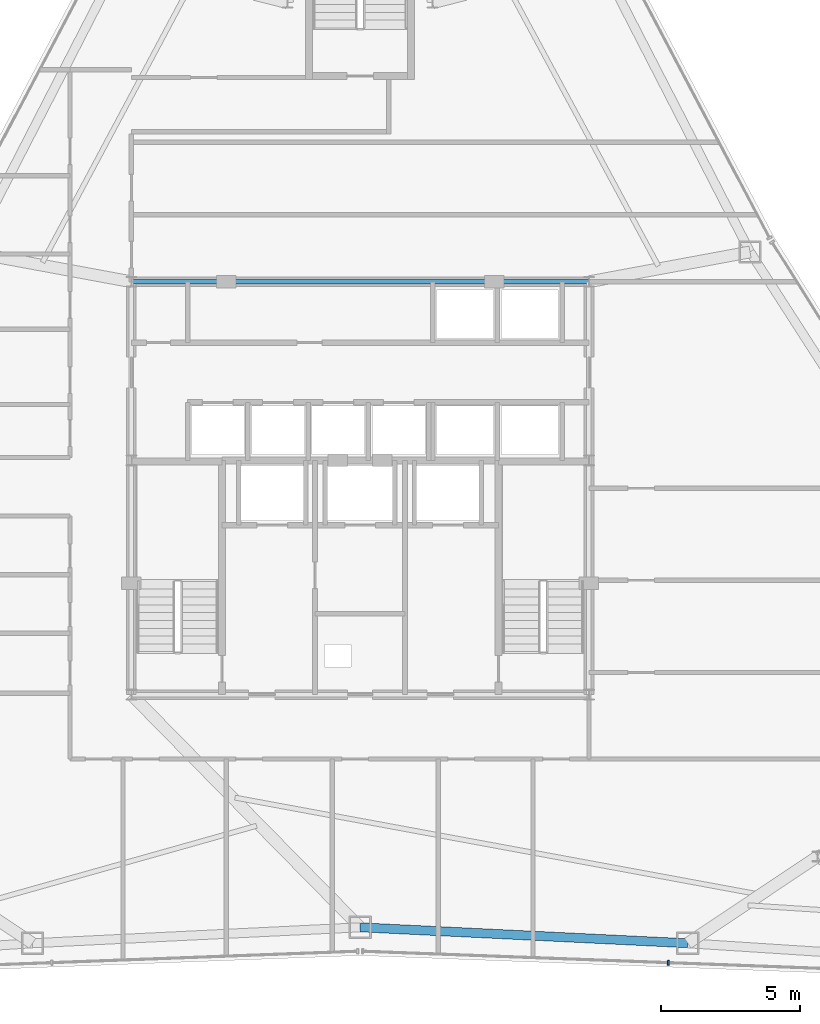
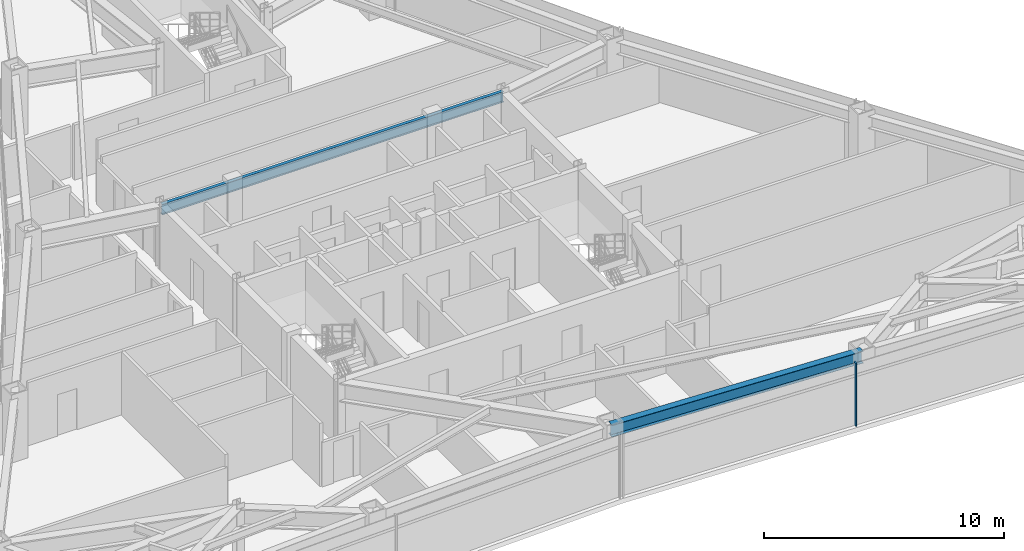
# One storey, part 6 of 13: 2 beams, 1 member, 1 element without a shape of its own.
"""IFC4 building model written with IfcOpenShell, lengths in metres."""

from ifc_helpers import new_model, si_unit, direction, frame, origin, origin_2d, place, context, subcontext, project, spatial, rectangle, i_section, extrude, source, transform, mapped, material, layer, layer_set, material_profile, profile_set, type_object, type_shapes, element, aggregate, save


model = new_model("IFC4")

# Units and contexts
model_context = context("Model", 3, precision=1e-05, world=origin(), true_north=direction((0.0, 1.0)))
body_context = subcontext(model_context, "Body", "Model", "MODEL_VIEW")
ifc_project = project(units=[si_unit("LENGTHUNIT", "METRE"), si_unit("AREAUNIT", "SQUARE_METRE"), si_unit("VOLUMEUNIT", "CUBIC_METRE"), si_unit("PLANEANGLEUNIT", "RADIAN"), si_unit("MASSUNIT", "GRAM", prefix="KILO")], contexts=[model_context])

# Site, building, storey
site_placement = place(None, origin())
site = spatial("IfcSite", under=ifc_project, at=site_placement, CompositionType="ELEMENT")
building_placement = place(site_placement, origin())
building = spatial("IfcBuilding", under=site, at=building_placement, Name="Varakhsha Concourse Tower", CompositionType="ELEMENT")
storey_placement = place(building_placement, frame((0.0, 0.0, 172.35009765625)))
storey = spatial("IfcBuildingStorey", under=building, at=storey_placement, Name="L49", CompositionType="ELEMENT", Elevation=172.35009765625)

# Beams
ifc_material_1 = material(Name="Structural Steel ASTM A992 Grade 50", Category="steel")
ifc_material_profile_1 = material_profile(ifc_material_1, i_section(OverallWidth=0.1669921875, OverallDepth=0.534912109375, WebThickness=0.010009765625, FlangeThickness=0.01708984375, at=origin_2d()), Name="W21X57")
ifc_profile_set_1 = profile_set([ifc_material_profile_1], Name="Structural Steel ASTM A992 Grade 50")
beam_type_1 = type_object("IfcBeamType", Name="BM-RAD-W21X57", PredefinedType="BEAM", material=ifc_profile_set_1)
beam_1_placement = place(storey_placement, frame((31.800048828125, 31.199951171875, 2.9423828125), z_axis=(1.0, 0.0, 0.0), x_axis=(0.0, 1.0, 0.0)))
element("IfcBeam", 1, at=beam_1_placement, inside=storey, type_object=beam_type_1, Name="BM-TCORE-L49-CN", PredefinedType="BEAM", context=body_context, shape_type="SweptSolid", body=[
    extrude(i_section(OverallWidth=0.1669921875, OverallDepth=0.534912109375, WebThickness=0.010009765625, FlangeThickness=0.01708984375, at=origin_2d()), origin(), (0.0, 0.0, 1.0), 16.39990234375),
])
ifc_material_profile_2 = material_profile(ifc_material_1, i_section(OverallWidth=0.323974609375, OverallDepth=0.611083984375, WebThickness=0.012939453125, FlangeThickness=0.01904296875, at=origin_2d()), Name="W24X104")
ifc_profile_set_2 = profile_set([ifc_material_profile_2], Name="Structural Steel ASTM A992 Grade 50")
beam_type_2 = type_object("IfcBeamType", Name="BM-SPAN-W24X104", PredefinedType="SPANDREL", material=ifc_profile_set_2)
beam_2_placement = place(storey_placement, frame((40.0, 8.061279296875, 2.904296875), z_axis=(0.998822016856, -0.048524000694, 0.0), x_axis=(0.048524000694, 0.998822016856, 0.0)))
element("IfcBeam", 2, at=beam_2_placement, inside=storey, type_object=beam_type_2, Name="BM-SPAN-L49-11", PredefinedType="SPANDREL", context=body_context, shape_type="SweptSolid", body=[
    extrude(i_section(OverallWidth=0.323974609375, OverallDepth=0.611083984375, WebThickness=0.012939453125, FlangeThickness=0.01904296875, at=origin_2d()), origin(), (0.0, 0.0, 1.0), 11.75830078125),
])

# Curtain wall, member
ifc_material_2 = material(Name="Anodised Bronze Architectural Aluminium AA 6063-T6", Category="aluminium")
ifc_layer = layer(ifc_material_2, 0.2099609375, Name="CW-SYS-04")
ifc_layer_set = layer_set([ifc_layer], Name="Anodised Bronze Architectural Aluminium AA 6063-T6")
curtain_wall_type = type_object("IfcCurtainWallType", Name="CW-SYS-04", PredefinedType="NOTDEFINED", material=ifc_layer_set)
curtain_wall_placement = place(storey_placement, origin())
curtain_wall = element("IfcCurtainWall", 3, at=curtain_wall_placement, inside=storey, type_object=curtain_wall_type, Name="L49 Crystal Curtain Wall F6", PredefinedType="NOTDEFINED")
ifc_material_profile_3 = material_profile(ifc_material_2, rectangle(XDim=0.06494140625, YDim=0.179931640625, at=origin_2d()), Name="CWM-180X65")
ifc_profile_set_3 = profile_set([ifc_material_profile_3], Name="Anodised Bronze Architectural Aluminium AA 6063-T6")
member_type = type_object("IfcMemberType", Name="CWM-180X65", PredefinedType="MULLION", material=ifc_profile_set_3)
shared_shape = source(origin(), body_context, "Body", "SweptSolid", [
    extrude(rectangle(XDim=0.06494140625, YDim=0.179931640625, at=origin_2d()), origin(), (0.0, 0.0, 1.0), 3.2099609375),
])
type_shapes(member_type, [shared_shape])
member_placement = place(storey_placement, frame((51.048095703125, 6.79638671875, 0.0), z_axis=(0.0, 0.0, 1.0), x_axis=(-0.999301264048, 0.037376244769, 0.0)))
member = element("IfcMember", 4, at=member_placement, type_object=member_type, Name="CW-L49-F6 Mullion 01", PredefinedType="MULLION", context=body_context, shape_type="MappedRepresentation", body=[
    mapped(shared_shape, transform((0.0, 0.0, 0.0), scale=1.0)),
])
aggregate(curtain_wall, [member])

save(model, "model.ifc")
